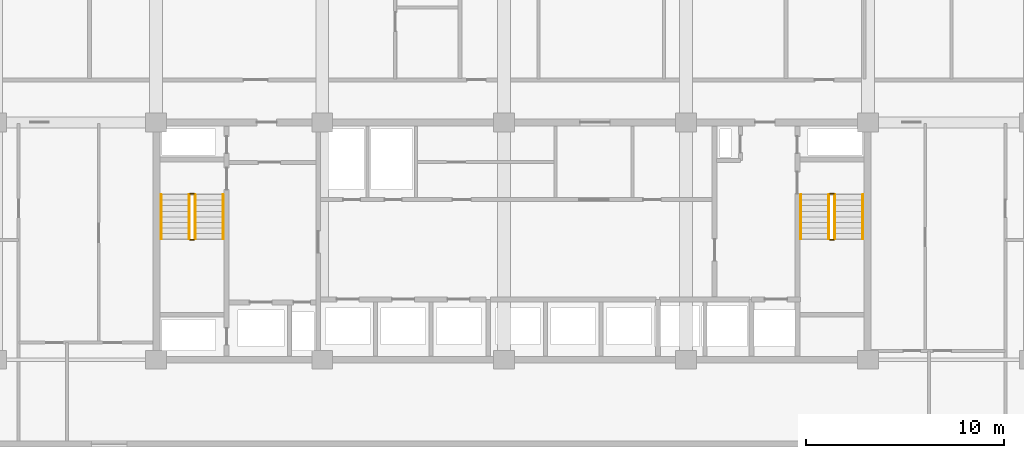
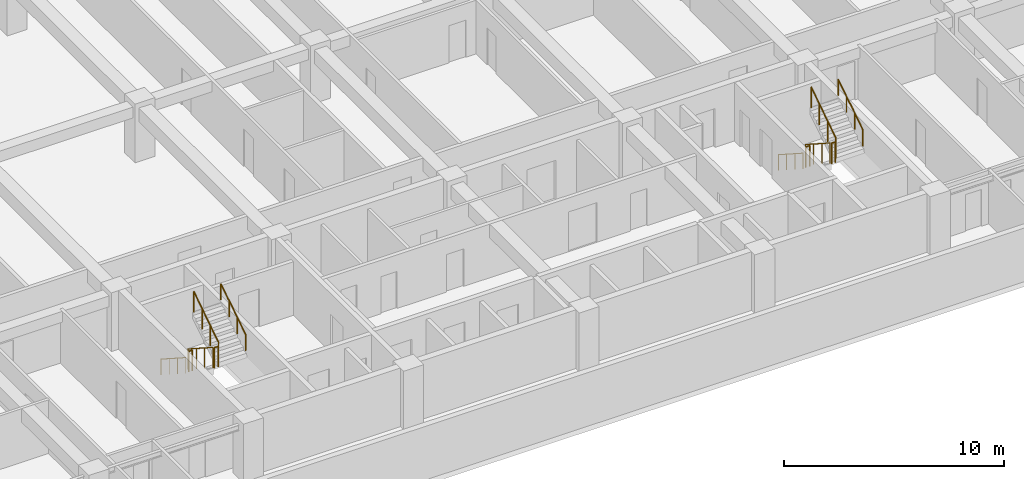
# One storey, part 22 of 23: 12 railings.
"""IFC4 building model written with IfcOpenShell, lengths in metres."""

import ifcopenshell
import ifcopenshell.guid

model = None  # the IFC model being written
_history = None  # IfcOwnerHistory: only IFC2X3 demands one
_inside = {}  # id of a spatial element -> (the spatial element, [elements in it])
_under = {}  # id of a project, library or spatial element -> (it, [spatial elements below it])
_declared = {}  # id of a project -> (the project, [libraries it declares])
_typed = {}  # id of a type object -> (the type object, [elements of that type])
_made_of = {}  # id of a material, layer set ... -> (it, [elements and type objects made of it])


def new_model(schema):
    """Start an empty IFC model of exactly this schema.

    Asked for "IFC4X3", IfcOpenShell would pick the latest addendum, in which some entities
    have other attributes; the version numbers below select the first issue.
    IFC2X3 requires an IfcOwnerHistory on every rooted entity: one is made here for all.
    """
    global model, _history
    if schema == "IFC4X3":
        model = ifcopenshell.file(schema_version=(4, 3, 0, 0))
    else:
        model = ifcopenshell.file(schema=schema)
    _inside.clear()
    _under.clear()
    _declared.clear()
    _typed.clear()
    _made_of.clear()
    _history = None
    if model.schema == "IFC2X3":
        org = make("IfcOrganization", Name="unknown")
        user = make(
            "IfcPersonAndOrganization",
            ThePerson=make("IfcPerson", FamilyName="unknown"),
            TheOrganization=org,
        )
        app = make(
            "IfcApplication",
            ApplicationDeveloper=org,
            Version="unknown",
            ApplicationFullName="unknown",
            ApplicationIdentifier="unknown",
        )
        _history = make(
            "IfcOwnerHistory",
            OwningUser=user,
            OwningApplication=app,
            ChangeAction="ADDED",
            CreationDate=0,
        )
    return model


def make(cls, **values):
    """One entity of the class cls with the attributes given. An attribute that is None is left unset."""
    return model.create_entity(
        cls, **{name: value for name, value in values.items() if value is not None}
    )


def rooted(cls, **values):
    """An entity with a GlobalId (a new one), such as an element, a storey or a relation."""
    return make(cls, GlobalId=ifcopenshell.guid.new(), OwnerHistory=_history, **values)


def si_unit(unit_type, name, prefix=None):
    """IfcSIUnit, for example si_unit("LENGTHUNIT", "METRE", prefix="MILLI")."""
    return make("IfcSIUnit", UnitType=unit_type, Prefix=prefix, Name=name)


def assignment(units):
    """IfcUnitAssignment: the units of a project."""
    return None if units is None else make("IfcUnitAssignment", Units=units)


def point(xyz):
    """IfcCartesianPoint."""
    return None if xyz is None else make("IfcCartesianPoint", Coordinates=xyz)


def direction(xyz):
    """IfcDirection."""
    return None if xyz is None else make("IfcDirection", DirectionRatios=xyz)


def frame(location, z_axis=None, x_axis=None):
    """IfcAxis2Placement3D, a coordinate frame: its origin and axes. An axis left out is left unset."""
    return make(
        "IfcAxis2Placement3D",
        Location=point(location),
        Axis=direction(z_axis),
        RefDirection=direction(x_axis),
    )


def frame_2d(location, x_axis=None):
    """IfcAxis2Placement2D, a coordinate frame in the plane: its origin and x axis."""
    return make(
        "IfcAxis2Placement2D", Location=point(location), RefDirection=direction(x_axis)
    )


def origin():
    """The frame at (0, 0, 0) with its axes left unset."""
    return frame((0.0, 0.0, 0.0))


def origin_2d():
    """The frame at (0, 0) in the plane with its x axis left unset."""
    return frame_2d((0.0, 0.0))


def place(relative_to, where):
    """IfcLocalPlacement: puts the frame where relative to a parent placement (None: the world)."""
    return make(
        "IfcLocalPlacement", PlacementRelTo=relative_to, RelativePlacement=where
    )


def context(
    kind, dimensions, precision=None, world=None, true_north=None, identifier=None
):
    """IfcGeometricRepresentationContext, for example the 3D "Model" context."""
    return make(
        "IfcGeometricRepresentationContext",
        ContextIdentifier=identifier,
        ContextType=kind,
        CoordinateSpaceDimension=dimensions,
        Precision=precision,
        WorldCoordinateSystem=world,
        TrueNorth=true_north,
    )


def subcontext(parent, identifier, kind, view, scale=None):
    """IfcGeometricRepresentationSubContext, for example "Body" below "Model"."""
    return make(
        "IfcGeometricRepresentationSubContext",
        ContextIdentifier=identifier,
        ContextType=kind,
        ParentContext=parent,
        TargetScale=scale,
        TargetView=view,
    )


def project(units=None, contexts=None):
    """IfcProject with its units and contexts."""
    return rooted(
        "IfcProject",
        Name="project",
        RepresentationContexts=contexts,
        UnitsInContext=assignment(units),
    )


def spatial(cls, under=None, at=None, **own):
    """A site, building, storey or space (cls), placed at a placement, below another one or the project."""
    s = rooted(cls, ObjectPlacement=at, **own)
    if under is not None:
        _under.setdefault(under.id(), (under, []))[1].append(s)
    return s


def profile(cls, at=None, kind="AREA", **sizes):
    """A parametric profile (cls). Its sizes go by their IFC names, for example OverallWidth=200.0."""
    return make(cls, ProfileType=kind, Position=at, **sizes)


def circle(**sizes):
    """IfcCircleProfileDef."""
    return profile("IfcCircleProfileDef", **sizes)


def extrude(swept, where, along, depth):
    """IfcExtrudedAreaSolid: the profile swept, set in the frame where, extruded along a direction by depth."""
    return make(
        "IfcExtrudedAreaSolid",
        SweptArea=swept,
        Position=where,
        ExtrudedDirection=direction(along),
        Depth=depth,
    )


def shape(context_of_items, identifier, shape_type, items):
    """IfcShapeRepresentation: the items that make up one representation, for example the "Body"."""
    return make(
        "IfcShapeRepresentation",
        ContextOfItems=context_of_items,
        RepresentationIdentifier=identifier,
        RepresentationType=shape_type,
        Items=items,
    )


def material(Name=None, Category=None):
    """IfcMaterial."""
    return make("IfcMaterial", Name=Name, Category=Category)


def made_of(thing, what):
    """Note that an element or type object is made of a material, layer set ...; save() writes the relation."""
    if what is not None:
        _made_of.setdefault(what.id(), (what, []))[1].append(thing)
    return thing


def type_object(cls, material=None, **own):
    """A type object (cls), such as IfcWallType, which elements share."""
    return made_of(rooted(cls, **own), material)


def element(
    cls,
    number,
    at=None,
    inside=None,
    cuts=None,
    type_object=None,
    material=None,
    context=None,
    identifier="Body",
    shape_type=None,
    held_by="IfcProductDefinitionShape",
    body=None,
    shapes=None,
    **own,
):
    """One element of the class cls, such as IfcWall. Its Tag is "e" and its number.

    at: its placement. inside: the storey or other place that contains it. cuts: it is an
    opening in that element (IfcRelVoidsElement). A single representation is given by context,
    identifier, shape_type and body (its items); several are given by shapes. held_by: the class
    of the entity that holds the representations. save() writes the other relations.
    """
    e = rooted(cls, Tag="e%d" % number, ObjectPlacement=at, **own)
    if body is not None:
        shapes = [shape(context, identifier, shape_type, body)]
    if shapes is not None:
        e.Representation = make(held_by, Representations=shapes)
    if inside is not None:
        _inside.setdefault(inside.id(), (inside, []))[1].append(e)
    if cuts is not None:
        rooted(
            "IfcRelVoidsElement", RelatingBuildingElement=cuts, RelatedOpeningElement=e
        )
    if type_object is not None:
        _typed.setdefault(type_object.id(), (type_object, []))[1].append(e)
    return made_of(e, material)


def aggregate(whole, parts):
    """IfcRelAggregates: a whole, such as a stair, and the parts it consists of."""
    return rooted("IfcRelAggregates", RelatingObject=whole, RelatedObjects=parts)


def save(model, path):
    """Write the relations noted so far, then the file.

    IfcRelAggregates (storeys below a building ...), IfcRelContainedInSpatialStructure (elements
    in a storey), IfcRelDefinesByType, IfcRelAssociatesMaterial and IfcRelDeclares: one each for
    every whole, place, type object, material and project.
    """
    for whole, parts in _under.values():
        aggregate(whole, parts)
    for where, things in _inside.values():
        rooted(
            "IfcRelContainedInSpatialStructure",
            RelatedElements=things,
            RelatingStructure=where,
        )
    for kind, things in _typed.values():
        rooted("IfcRelDefinesByType", RelatedObjects=things, RelatingType=kind)
    for what, things in _made_of.values():
        rooted("IfcRelAssociatesMaterial", RelatedObjects=things, RelatingMaterial=what)
    for by, libraries in _declared.values():
        rooted("IfcRelDeclares", RelatingContext=by, RelatedDefinitions=libraries)
    model.write(path)


model = new_model("IFC4")

# Units and contexts
model_context = context("Model", 3, precision=1e-05, world=origin(), true_north=direction((0.0, 1.0)))
body_context = subcontext(model_context, "Body", "Model", "MODEL_VIEW")
ifc_project = project(units=[si_unit("LENGTHUNIT", "METRE"), si_unit("AREAUNIT", "SQUARE_METRE"), si_unit("VOLUMEUNIT", "CUBIC_METRE"), si_unit("PLANEANGLEUNIT", "RADIAN"), si_unit("MASSUNIT", "GRAM", prefix="KILO")], contexts=[model_context])

# Site, building, storey
site_placement = place(None, origin())
site = spatial("IfcSite", under=ifc_project, at=site_placement, CompositionType="ELEMENT")
building_placement = place(site_placement, origin())
building = spatial("IfcBuilding", under=site, at=building_placement, Name="Korimba Cascade Residences", CompositionType="ELEMENT")
storey_placement = place(building_placement, frame((0.0, 0.0, 72.75)))
storey = spatial("IfcBuildingStorey", under=building, at=storey_placement, Name="L20", CompositionType="ELEMENT", Elevation=72.75)

# Railings
ifc_material_1 = material(Name="Painted Steel Stairwell Guardrail", Category="steel")
railing_type_1 = type_object("IfcRailingType", Name="RLG-ST-GD1150", PredefinedType="GUARDRAIL", material=ifc_material_1)
railing_1_placement = place(storey_placement, frame((77.77001953125, 63.550048828125, 0.1806640625)))
element("IfcRailing", 1, at=railing_1_placement, inside=storey, type_object=railing_type_1, Name="L20 ST-W1 stair guard 1", PredefinedType="GUARDRAIL", context=body_context, shape_type="SweptSolid", body=[
    extrude(circle(Radius=0.02392578125, at=origin_2d()), frame((0.0, 0.0, 1.1259765625), z_axis=(0.0, -0.840436612492, 0.541909863706), x_axis=(1.0, 0.0, 0.0)), (0.0, 0.0, 1.0), 2.665283203125),
    extrude(circle(Radius=0.02099609375, at=origin_2d()), origin(), (0.0, 0.0, 1.0), 1.101806640625),
    extrude(circle(Radius=0.02099609375, at=origin_2d()), frame((0.0, -0.74658203125, 0.4814453125)), (0.0, 0.0, 1.0), 1.101806640625),
    extrude(circle(Radius=0.02099609375, at=origin_2d()), frame((0.0, -1.493408203125, 0.962890625)), (0.0, 0.0, 1.0), 1.101806640625),
    extrude(circle(Radius=0.02099609375, at=origin_2d()), frame((0.0, -2.239990234375, 1.4443359375)), (0.0, 0.0, 1.0), 1.101806640625),
])
railing_2_placement = place(storey_placement, frame((77.820068359375, 61.260009765625, 1.625)))
element("IfcRailing", 2, at=railing_2_placement, inside=storey, type_object=railing_type_1, Name="L20 ST-W1 stair guard 2", PredefinedType="GUARDRAIL", context=body_context, shape_type="SweptSolid", body=[
    extrude(circle(Radius=0.02392578125, at=origin_2d()), frame((0.0, 0.0, 1.1259765625), z_axis=(1.0, 0.0, 0.0), x_axis=(0.0, 1.0, 0.0)), (0.0, 0.0, 1.0), 0.199951171875),
    extrude(circle(Radius=0.02099609375, at=origin_2d()), origin(), (0.0, 0.0, 1.0), 1.101806640625),
    extrude(circle(Radius=0.02099609375, at=origin_2d()), frame((0.199951171875, 0.0, 0.0)), (0.0, 0.0, 1.0), 1.101806640625),
])
railing_3_placement = place(storey_placement, frame((78.070068359375, 61.31005859375, 1.8056640625)))
element("IfcRailing", 3, at=railing_3_placement, inside=storey, type_object=railing_type_1, Name="L20 ST-W1 stair guard 3", PredefinedType="GUARDRAIL", context=body_context, shape_type="SweptSolid", body=[
    extrude(circle(Radius=0.02392578125, at=origin_2d()), frame((0.0, 0.0, 1.1259765625), z_axis=(0.0, 0.840436612492, 0.541909863706), x_axis=(-1.0, 0.0, 0.0)), (0.0, 0.0, 1.0), 2.665283203125),
    extrude(circle(Radius=0.02099609375, at=origin_2d()), origin(), (0.0, 0.0, 1.0), 1.101806640625),
    extrude(circle(Radius=0.02099609375, at=origin_2d()), frame((0.0, 0.74658203125, 0.4814453125)), (0.0, 0.0, 1.0), 1.101806640625),
    extrude(circle(Radius=0.02099609375, at=origin_2d()), frame((0.0, 1.493408203125, 0.962890625)), (0.0, 0.0, 1.0), 1.101806640625),
    extrude(circle(Radius=0.02099609375, at=origin_2d()), frame((0.0, 2.239990234375, 1.4443359375)), (0.0, 0.0, 1.0), 1.101806640625),
])
railing_4_placement = place(storey_placement, frame((77.820068359375, 63.60009765625, 0.0)))
element("IfcRailing", 4, at=railing_4_placement, inside=storey, type_object=railing_type_1, Name="L20 ST-W1 stair guard 4", PredefinedType="GUARDRAIL", context=body_context, shape_type="SweptSolid", body=[
    extrude(circle(Radius=0.02392578125, at=origin_2d()), frame((0.0, 0.0, 1.1259765625), z_axis=(1.0, 0.0, 0.0), x_axis=(0.0, 1.0, 0.0)), (0.0, 0.0, 1.0), 0.199951171875),
    extrude(circle(Radius=0.02099609375, at=origin_2d()), origin(), (0.0, 0.0, 1.0), 1.101806640625),
    extrude(circle(Radius=0.02099609375, at=origin_2d()), frame((0.199951171875, 0.0, 0.0)), (0.0, 0.0, 1.0), 1.101806640625),
])
railing_5_placement = place(storey_placement, frame((110.1298828125, 63.550048828125, 0.1806640625)))
element("IfcRailing", 5, at=railing_5_placement, inside=storey, type_object=railing_type_1, Name="L20 ST-W2 stair guard 1", PredefinedType="GUARDRAIL", context=body_context, shape_type="SweptSolid", body=[
    extrude(circle(Radius=0.02392578125, at=origin_2d()), frame((0.0, 0.0, 1.1259765625), z_axis=(0.0, -0.840436612492, 0.541909863706), x_axis=(1.0, 0.0, 0.0)), (0.0, 0.0, 1.0), 2.665283203125),
    extrude(circle(Radius=0.02099609375, at=origin_2d()), origin(), (0.0, 0.0, 1.0), 1.101806640625),
    extrude(circle(Radius=0.02099609375, at=origin_2d()), frame((0.0, -0.74658203125, 0.4814453125)), (0.0, 0.0, 1.0), 1.101806640625),
    extrude(circle(Radius=0.02099609375, at=origin_2d()), frame((0.0, -1.493408203125, 0.962890625)), (0.0, 0.0, 1.0), 1.101806640625),
    extrude(circle(Radius=0.02099609375, at=origin_2d()), frame((0.0, -2.239990234375, 1.4443359375)), (0.0, 0.0, 1.0), 1.101806640625),
])
railing_6_placement = place(storey_placement, frame((110.179931640625, 61.260009765625, 1.625)))
element("IfcRailing", 6, at=railing_6_placement, inside=storey, type_object=railing_type_1, Name="L20 ST-W2 stair guard 2", PredefinedType="GUARDRAIL", context=body_context, shape_type="SweptSolid", body=[
    extrude(circle(Radius=0.02392578125, at=origin_2d()), frame((0.0, 0.0, 1.1259765625), z_axis=(1.0, 0.0, 0.0), x_axis=(0.0, 1.0, 0.0)), (0.0, 0.0, 1.0), 0.199951171875),
    extrude(circle(Radius=0.02099609375, at=origin_2d()), origin(), (0.0, 0.0, 1.0), 1.101806640625),
    extrude(circle(Radius=0.02099609375, at=origin_2d()), frame((0.199951171875, 0.0, 0.0)), (0.0, 0.0, 1.0), 1.101806640625),
])
railing_7_placement = place(storey_placement, frame((110.429931640625, 61.31005859375, 1.8056640625)))
element("IfcRailing", 7, at=railing_7_placement, inside=storey, type_object=railing_type_1, Name="L20 ST-W2 stair guard 3", PredefinedType="GUARDRAIL", context=body_context, shape_type="SweptSolid", body=[
    extrude(circle(Radius=0.02392578125, at=origin_2d()), frame((0.0, 0.0, 1.1259765625), z_axis=(0.0, 0.840436612492, 0.541909863706), x_axis=(-1.0, 0.0, 0.0)), (0.0, 0.0, 1.0), 2.665283203125),
    extrude(circle(Radius=0.02099609375, at=origin_2d()), origin(), (0.0, 0.0, 1.0), 1.101806640625),
    extrude(circle(Radius=0.02099609375, at=origin_2d()), frame((0.0, 0.74658203125, 0.4814453125)), (0.0, 0.0, 1.0), 1.101806640625),
    extrude(circle(Radius=0.02099609375, at=origin_2d()), frame((0.0, 1.493408203125, 0.962890625)), (0.0, 0.0, 1.0), 1.101806640625),
    extrude(circle(Radius=0.02099609375, at=origin_2d()), frame((0.0, 2.239990234375, 1.4443359375)), (0.0, 0.0, 1.0), 1.101806640625),
])
railing_8_placement = place(storey_placement, frame((110.179931640625, 63.60009765625, 0.0)))
element("IfcRailing", 8, at=railing_8_placement, inside=storey, type_object=railing_type_1, Name="L20 ST-W2 stair guard 4", PredefinedType="GUARDRAIL", context=body_context, shape_type="SweptSolid", body=[
    extrude(circle(Radius=0.02392578125, at=origin_2d()), frame((0.0, 0.0, 1.1259765625), z_axis=(1.0, 0.0, 0.0), x_axis=(0.0, 1.0, 0.0)), (0.0, 0.0, 1.0), 0.199951171875),
    extrude(circle(Radius=0.02099609375, at=origin_2d()), origin(), (0.0, 0.0, 1.0), 1.101806640625),
    extrude(circle(Radius=0.02099609375, at=origin_2d()), frame((0.199951171875, 0.0, 0.0)), (0.0, 0.0, 1.0), 1.101806640625),
])
ifc_material_2 = material(Name="Brushed Stainless Steel Handrail", Category="steel")
railing_type_2 = type_object("IfcRailingType", Name="RLG-ST-HR900", PredefinedType="HANDRAIL", material=ifc_material_2)
railing_9_placement = place(storey_placement, frame((76.35009765625, 63.550048828125, 0.364990234375)))
element("IfcRailing", 9, at=railing_9_placement, inside=storey, type_object=railing_type_2, Name="L20 ST-W1 stair handrail 1", PredefinedType="HANDRAIL", context=body_context, shape_type="SweptSolid", body=[
    extrude(circle(Radius=0.02392578125, at=origin_2d()), frame((0.0, 0.0, 0.8759765625), z_axis=(0.0, -0.840436612492, 0.541909863706), x_axis=(1.0, 0.0, 0.0)), (0.0, 0.0, 1.0), 2.665283203125),
    extrude(circle(Radius=0.02099609375, at=origin_2d()), origin(), (0.0, 0.0, 1.0), 0.851806640625),
    extrude(circle(Radius=0.02099609375, at=origin_2d()), frame((0.0, -0.74658203125, 0.4814453125)), (0.0, 0.0, 1.0), 0.851806640625),
    extrude(circle(Radius=0.02099609375, at=origin_2d()), frame((0.0, -1.493408203125, 0.962890625)), (0.0, 0.0, 1.0), 0.851806640625),
    extrude(circle(Radius=0.02099609375, at=origin_2d()), frame((0.0, -2.239990234375, 1.4443359375)), (0.0, 0.0, 1.0), 0.851806640625),
])
railing_10_placement = place(storey_placement, frame((79.489990234375, 61.31005859375, 1.989990234375)))
element("IfcRailing", 10, at=railing_10_placement, inside=storey, type_object=railing_type_2, Name="L20 ST-W1 stair handrail 2", PredefinedType="HANDRAIL", context=body_context, shape_type="SweptSolid", body=[
    extrude(circle(Radius=0.02392578125, at=origin_2d()), frame((0.0, 0.0, 0.8759765625), z_axis=(0.0, 0.840436612492, 0.541909863706), x_axis=(-1.0, 0.0, 0.0)), (0.0, 0.0, 1.0), 2.665283203125),
    extrude(circle(Radius=0.02099609375, at=origin_2d()), origin(), (0.0, 0.0, 1.0), 0.851806640625),
    extrude(circle(Radius=0.02099609375, at=origin_2d()), frame((0.0, 0.74658203125, 0.4814453125)), (0.0, 0.0, 1.0), 0.851806640625),
    extrude(circle(Radius=0.02099609375, at=origin_2d()), frame((0.0, 1.493408203125, 0.962890625)), (0.0, 0.0, 1.0), 0.851806640625),
    extrude(circle(Radius=0.02099609375, at=origin_2d()), frame((0.0, 2.239990234375, 1.4443359375)), (0.0, 0.0, 1.0), 0.851806640625),
])
railing_11_placement = place(storey_placement, frame((108.7099609375, 63.550048828125, 0.364990234375)))
element("IfcRailing", 11, at=railing_11_placement, inside=storey, type_object=railing_type_2, Name="L20 ST-W2 stair handrail 1", PredefinedType="HANDRAIL", context=body_context, shape_type="SweptSolid", body=[
    extrude(circle(Radius=0.02392578125, at=origin_2d()), frame((0.0, 0.0, 0.8759765625), z_axis=(0.0, -0.840436612492, 0.541909863706), x_axis=(1.0, 0.0, 0.0)), (0.0, 0.0, 1.0), 2.665283203125),
    extrude(circle(Radius=0.02099609375, at=origin_2d()), origin(), (0.0, 0.0, 1.0), 0.851806640625),
    extrude(circle(Radius=0.02099609375, at=origin_2d()), frame((0.0, -0.74658203125, 0.4814453125)), (0.0, 0.0, 1.0), 0.851806640625),
    extrude(circle(Radius=0.02099609375, at=origin_2d()), frame((0.0, -1.493408203125, 0.962890625)), (0.0, 0.0, 1.0), 0.851806640625),
    extrude(circle(Radius=0.02099609375, at=origin_2d()), frame((0.0, -2.239990234375, 1.4443359375)), (0.0, 0.0, 1.0), 0.851806640625),
])
railing_12_placement = place(storey_placement, frame((111.85009765625, 61.31005859375, 1.989990234375)))
element("IfcRailing", 12, at=railing_12_placement, inside=storey, type_object=railing_type_2, Name="L20 ST-W2 stair handrail 2", PredefinedType="HANDRAIL", context=body_context, shape_type="SweptSolid", body=[
    extrude(circle(Radius=0.02392578125, at=origin_2d()), frame((0.0, 0.0, 0.8759765625), z_axis=(0.0, 0.840436612492, 0.541909863706), x_axis=(-1.0, 0.0, 0.0)), (0.0, 0.0, 1.0), 2.665283203125),
    extrude(circle(Radius=0.02099609375, at=origin_2d()), origin(), (0.0, 0.0, 1.0), 0.851806640625),
    extrude(circle(Radius=0.02099609375, at=origin_2d()), frame((0.0, 0.74658203125, 0.4814453125)), (0.0, 0.0, 1.0), 0.851806640625),
    extrude(circle(Radius=0.02099609375, at=origin_2d()), frame((0.0, 1.493408203125, 0.962890625)), (0.0, 0.0, 1.0), 0.851806640625),
    extrude(circle(Radius=0.02099609375, at=origin_2d()), frame((0.0, 2.239990234375, 1.4443359375)), (0.0, 0.0, 1.0), 0.851806640625),
])

save(model, "model.ifc")
